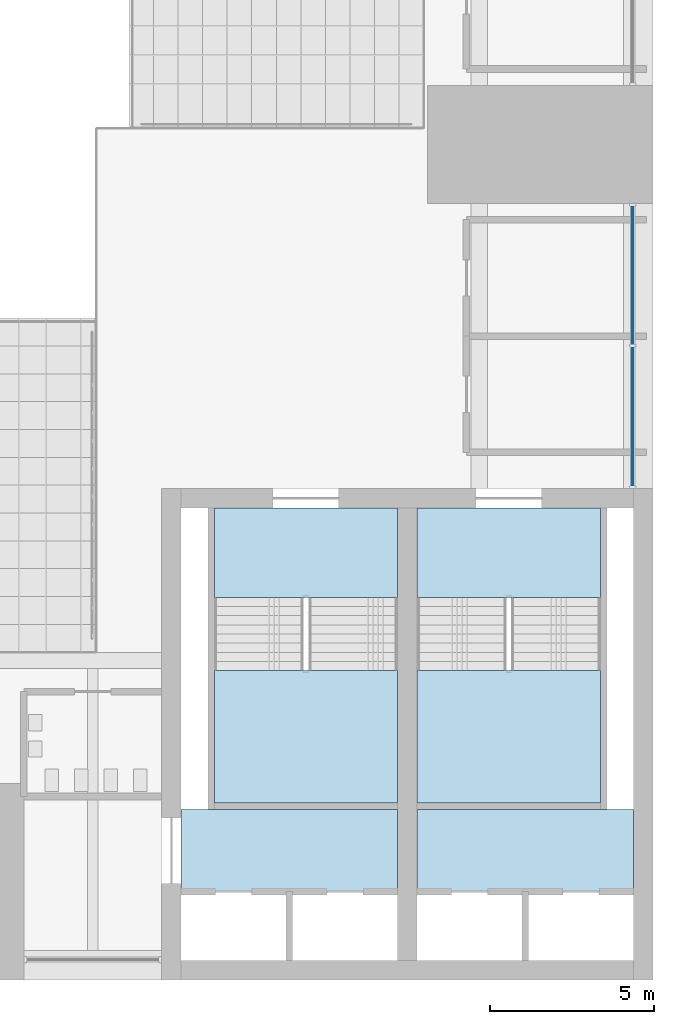
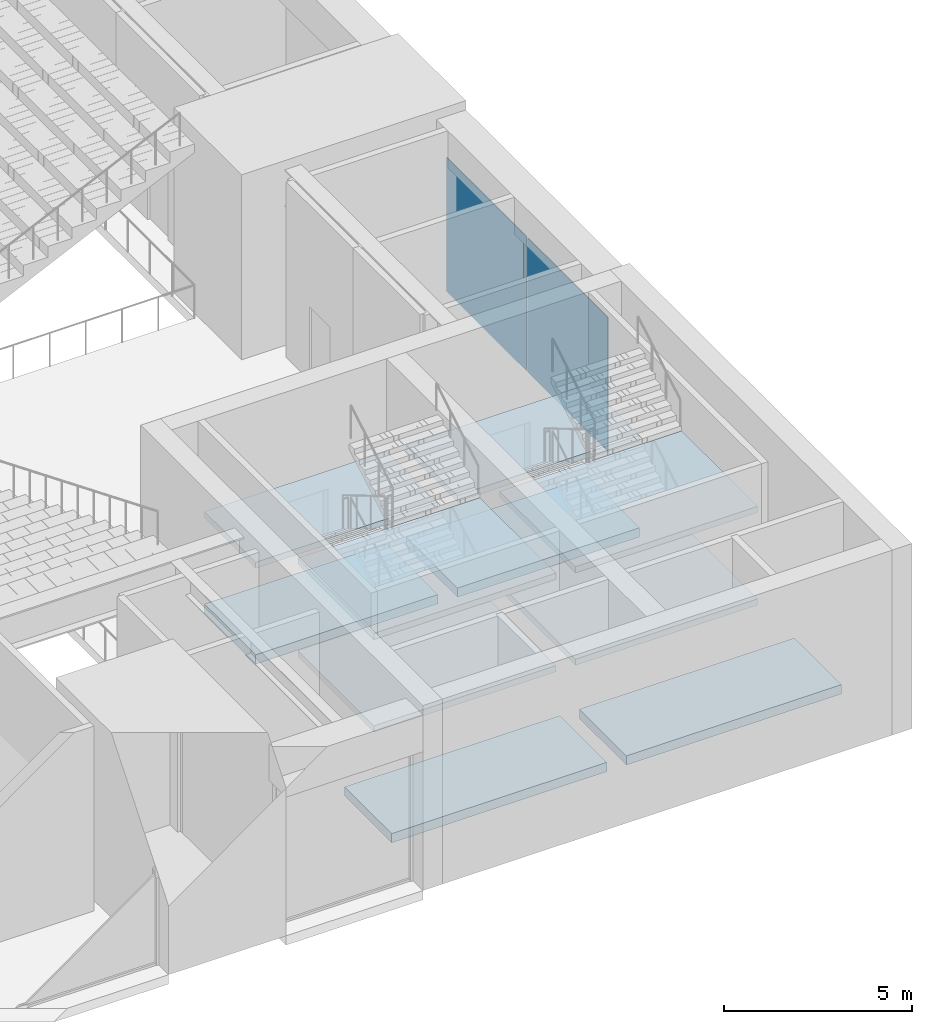
# One storey, part 23 of 61: 10 slabs, 2 plates, 3 elements without a shape of their own.
"""IFC4 building model written with IfcOpenShell, lengths in metres."""

from ifc_helpers import new_model, si_unit, direction, frame, origin, origin_2d, place, context, subcontext, project, spatial, polyline, rectangle, outline, extrude, material, layer, layer_set, type_object, element, aggregate, save


model = new_model("IFC4")

# Units and contexts
model_context = context("Model", 3, precision=1e-05, world=origin(), true_north=direction((0.0, 1.0)))
body_context = subcontext(model_context, "Body", "Model", "MODEL_VIEW")
ifc_project = project(units=[si_unit("LENGTHUNIT", "METRE"), si_unit("AREAUNIT", "SQUARE_METRE"), si_unit("VOLUMEUNIT", "CUBIC_METRE"), si_unit("PLANEANGLEUNIT", "RADIAN"), si_unit("MASSUNIT", "GRAM", prefix="KILO")], contexts=[model_context])

# Site, building, storey
site_placement = place(None, origin())
site = spatial("IfcSite", under=ifc_project, at=site_placement, CompositionType="ELEMENT")
building_placement = place(site_placement, origin())
building = spatial("IfcBuilding", under=site, at=building_placement, Name="Corbelhall Arena Tower", CompositionType="ELEMENT")
storey_placement = place(building_placement, frame((0.0, 0.0, 31.0)))
storey = spatial("IfcBuildingStorey", under=building, at=storey_placement, Name="L04", CompositionType="ELEMENT", Elevation=31.0)

# Stair, slabs
ifc_material_1 = material(Name="Reinforced concrete C40/50", Category="concrete")
stair_type = type_object("IfcStairType", Name="AR-EXIT-STAIR", PredefinedType="HALF_TURN_STAIR", material=ifc_material_1)
stair_1_placement = place(storey_placement, origin())
stair_1 = element("IfcStair", 1, at=stair_1_placement, inside=storey, type_object=stair_type, Name="L04 exit stair AS5", PredefinedType="HALF_TURN_STAIR")
ifc_layer_1 = layer(ifc_material_1, 0.199951171875)
ifc_layer_set_1 = layer_set([ifc_layer_1], Name="AR-EXIT-LANDING")
slab_type_1 = type_object("IfcSlabType", Name="AR-EXIT-LANDING", PredefinedType="LANDING", material=ifc_layer_set_1)
slab_1_placement = place(storey_placement, frame((0.0, 0.0, 1.300048828125)))
slab_1 = element("IfcSlab", 2, at=slab_1_placement, type_object=slab_type_1, Name="AS5 landing 1", PredefinedType="LANDING", context=body_context, shape_type="SweptSolid", body=[
    extrude(outline(polyline([(34.610107421875, -29.56005859375), (34.610107421875, -33.60009765625), (40.199951171875, -33.60009765625), (40.199951171875, -29.56005859375), (34.610107421875, -29.56005859375)])), origin(), (0.0, 0.0, 1.0), 0.199951171875),
])
slab_2_placement = place(storey_placement, frame((0.0, 0.0, 2.800048828125)))
slab_2 = element("IfcSlab", 3, at=slab_2_placement, type_object=slab_type_1, Name="AS5 landing 2", PredefinedType="LANDING", context=body_context, shape_type="SweptSolid", body=[
    extrude(outline(polyline([(34.610107421875, -24.60009765625), (34.610107421875, -27.320068359375), (40.199951171875, -27.320068359375), (40.199951171875, -24.60009765625), (34.610107421875, -24.60009765625)])), origin(), (0.0, 0.0, 1.0), 0.199951171875),
])
slab_3_placement = place(storey_placement, frame((0.0, 0.0, 4.300048828125)))
slab_3 = element("IfcSlab", 4, at=slab_3_placement, type_object=slab_type_1, Name="AS5 landing 3", PredefinedType="LANDING", context=body_context, shape_type="SweptSolid", body=[
    extrude(outline(polyline([(34.610107421875, -29.56005859375), (34.610107421875, -33.60009765625), (40.199951171875, -33.60009765625), (40.199951171875, -29.56005859375), (34.610107421875, -29.56005859375)])), origin(), (0.0, 0.0, 1.0), 0.199951171875),
])
aggregate(stair_1, [slab_1, slab_2, slab_3])

stair_2_placement = place(storey_placement, origin())
stair_2 = element("IfcStair", 5, at=stair_2_placement, inside=storey, type_object=stair_type, Name="L04 exit stair AS6", PredefinedType="HALF_TURN_STAIR")
slab_4_placement = place(storey_placement, frame((0.0, 0.0, 1.300048828125)))
slab_4 = element("IfcSlab", 6, at=slab_4_placement, type_object=slab_type_1, Name="AS6 landing 1", PredefinedType="LANDING", context=body_context, shape_type="SweptSolid", body=[
    extrude(outline(polyline([(40.800048828125, -29.56005859375), (40.800048828125, -33.60009765625), (46.389892578125, -33.60009765625), (46.389892578125, -29.56005859375), (40.800048828125, -29.56005859375)])), origin(), (0.0, 0.0, 1.0), 0.199951171875),
])
slab_5_placement = place(storey_placement, frame((0.0, 0.0, 2.800048828125)))
slab_5 = element("IfcSlab", 7, at=slab_5_placement, type_object=slab_type_1, Name="AS6 landing 2", PredefinedType="LANDING", context=body_context, shape_type="SweptSolid", body=[
    extrude(outline(polyline([(40.800048828125, -24.60009765625), (40.800048828125, -27.320068359375), (46.389892578125, -27.320068359375), (46.389892578125, -24.60009765625), (40.800048828125, -24.60009765625)])), origin(), (0.0, 0.0, 1.0), 0.199951171875),
])
slab_6_placement = place(storey_placement, frame((0.0, 0.0, 4.300048828125)))
slab_6 = element("IfcSlab", 8, at=slab_6_placement, type_object=slab_type_1, Name="AS6 landing 3", PredefinedType="LANDING", context=body_context, shape_type="SweptSolid", body=[
    extrude(outline(polyline([(40.800048828125, -29.56005859375), (40.800048828125, -33.60009765625), (46.389892578125, -33.60009765625), (46.389892578125, -29.56005859375), (40.800048828125, -29.56005859375)])), origin(), (0.0, 0.0, 1.0), 0.199951171875),
])
aggregate(stair_2, [slab_4, slab_5, slab_6])

# Slabs
ifc_layer_2 = layer(ifc_material_1, 0.300048828125)
ifc_layer_set_2 = layer_set([ifc_layer_2], Name="AR-STAIR-FLOOR")
slab_type_2 = type_object("IfcSlabType", Name="AR-STAIR-FLOOR", PredefinedType="FLOOR", material=ifc_layer_set_2)
slab_7_placement = place(storey_placement, frame((0.0, 0.0, -0.300048828125)))
element("IfcSlab", 9, at=slab_7_placement, inside=storey, type_object=slab_type_2, Name="Stair AS5 floor", PredefinedType="FLOOR", context=body_context, shape_type="SweptSolid", body=[
    extrude(outline(polyline([(34.610107421875, -24.60009765625), (40.199951171875, -24.60009765625), (40.199951171875, -27.322998046875), (34.610107421875, -27.322998046875), (34.610107421875, -24.60009765625)])), origin(), (0.0, 0.0, 1.0), 0.300048828125),
])
slab_8_placement = place(storey_placement, frame((0.0, 0.0, -0.300048828125)))
element("IfcSlab", 10, at=slab_8_placement, inside=storey, type_object=slab_type_2, Name="Stair AS6 floor", PredefinedType="FLOOR", context=body_context, shape_type="SweptSolid", body=[
    extrude(outline(polyline([(40.800048828125, -24.60009765625), (46.389892578125, -24.60009765625), (46.389892578125, -27.322998046875), (40.800048828125, -27.322998046875), (40.800048828125, -24.60009765625)])), origin(), (0.0, 0.0, 1.0), 0.300048828125),
])
slab_9_placement = place(storey_placement, frame((0.0, 0.0, -0.300048828125)))
element("IfcSlab", 11, at=slab_9_placement, inside=storey, type_object=slab_type_2, Name="Lift lobby floor SE", PredefinedType="FLOOR", context=body_context, shape_type="SweptSolid", body=[
    extrude(outline(polyline([(40.199951171875, -36.300048828125), (40.199951171875, -33.800048828125), (33.60009765625, -33.800048828125), (33.60009765625, -36.300048828125), (40.199951171875, -36.300048828125)])), origin(), (0.0, 0.0, 1.0), 0.300048828125),
])
slab_10_placement = place(storey_placement, frame((0.0, 0.0, -0.300048828125)))
element("IfcSlab", 12, at=slab_10_placement, inside=storey, type_object=slab_type_2, Name="Lift lobby floor SE", PredefinedType="FLOOR", context=body_context, shape_type="SweptSolid", body=[
    extrude(outline(polyline([(47.39990234375, -36.300048828125), (47.39990234375, -33.800048828125), (40.800048828125, -33.800048828125), (40.800048828125, -36.300048828125), (47.39990234375, -36.300048828125)])), origin(), (0.0, 0.0, 1.0), 0.300048828125),
])

# Curtain wall, plates
ifc_material_2 = material(Name="Aluminium black anodised", Category="aluminium")
ifc_layer_3 = layer(ifc_material_2, 0.239990234375)
ifc_layer_set_3 = layer_set([ifc_layer_3], Name="EV-CW4 Arena concourse glazing")
curtain_wall_type = type_object("IfcCurtainWallType", Name="EV-CW4 Arena concourse glazing", PredefinedType="NOTDEFINED", material=ifc_layer_set_3)
curtain_wall_placement = place(storey_placement, origin())
curtain_wall = element("IfcCurtainWall", 13, at=curtain_wall_placement, inside=storey, type_object=curtain_wall_type, Name="Curtain wall CW4B", PredefinedType="NOTDEFINED")
ifc_material_3 = material(Name="Glass dark tinted laminated", Category="glass")
ifc_layer_4 = layer(ifc_material_3, 0.028076171875)
ifc_layer_set_4 = layer_set([ifc_layer_4], Name="EV-CW4-PANEL")
plate_type = type_object("IfcPlateType", Name="EV-CW4-PANEL", PredefinedType="CURTAIN_PANEL", material=ifc_layer_set_4)
plate_1_placement = place(storey_placement, frame((47.3798828125, -21.80615234375, 0.074951171875), z_axis=(0.0, 0.0, 1.0), x_axis=(0.0, 1.0, 0.0)))
plate_1 = element("IfcPlate", 14, at=plate_1_placement, type_object=plate_type, Name="CW4B panel 1.1", PredefinedType="CURTAIN_PANEL", context=body_context, shape_type="SweptSolid", body=[
    extrude(rectangle(XDim=4.237548828125, YDim=0.028076171875, at=origin_2d()), origin(), (0.0, 0.0, 1.0), 4.35009765625),
])
plate_2_placement = place(storey_placement, frame((47.3798828125, -17.49365234375, 0.074951171875), z_axis=(0.0, 0.0, 1.0), x_axis=(0.0, 1.0, 0.0)))
plate_2 = element("IfcPlate", 15, at=plate_2_placement, type_object=plate_type, Name="CW4B panel 2.1", PredefinedType="CURTAIN_PANEL", context=body_context, shape_type="SweptSolid", body=[
    extrude(rectangle(XDim=4.237548828125, YDim=0.028076171875, at=origin_2d()), origin(), (0.0, 0.0, 1.0), 4.35009765625),
])
aggregate(curtain_wall, [plate_1, plate_2])

save(model, "model.ifc")
